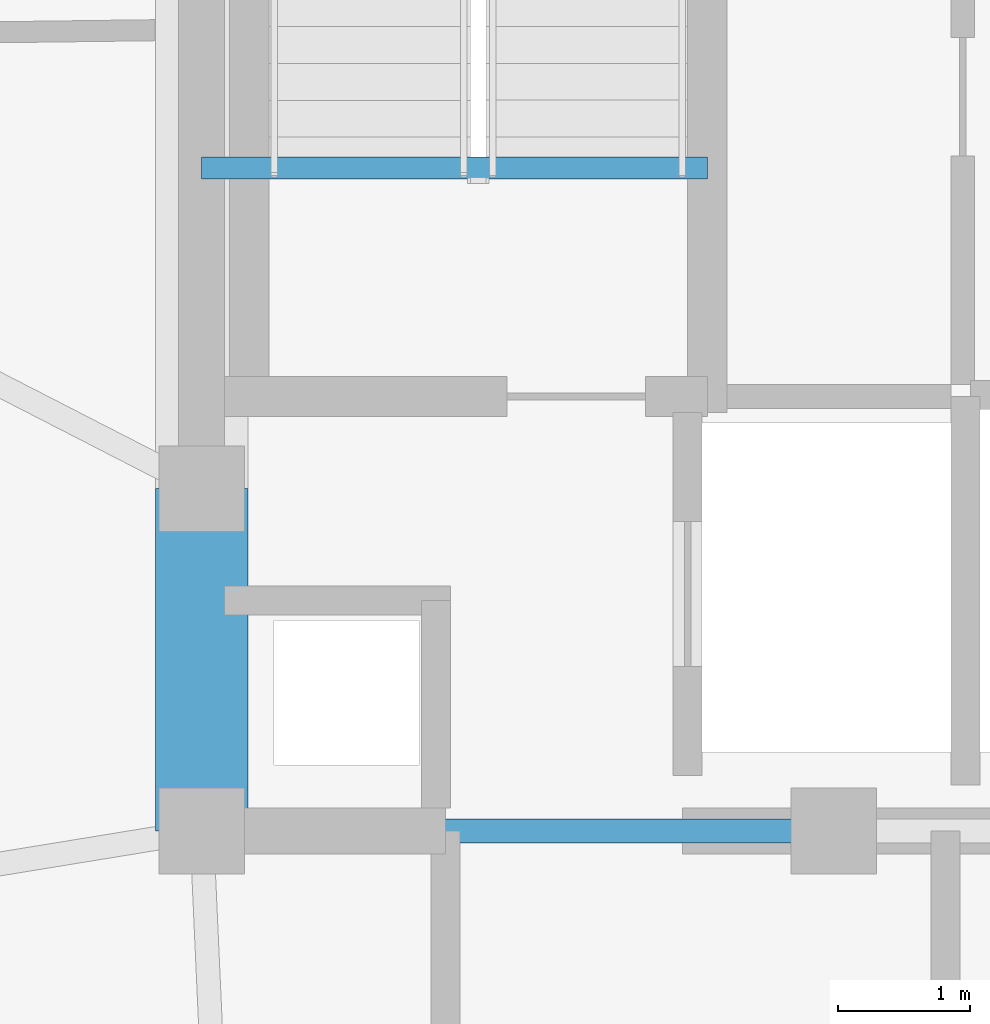
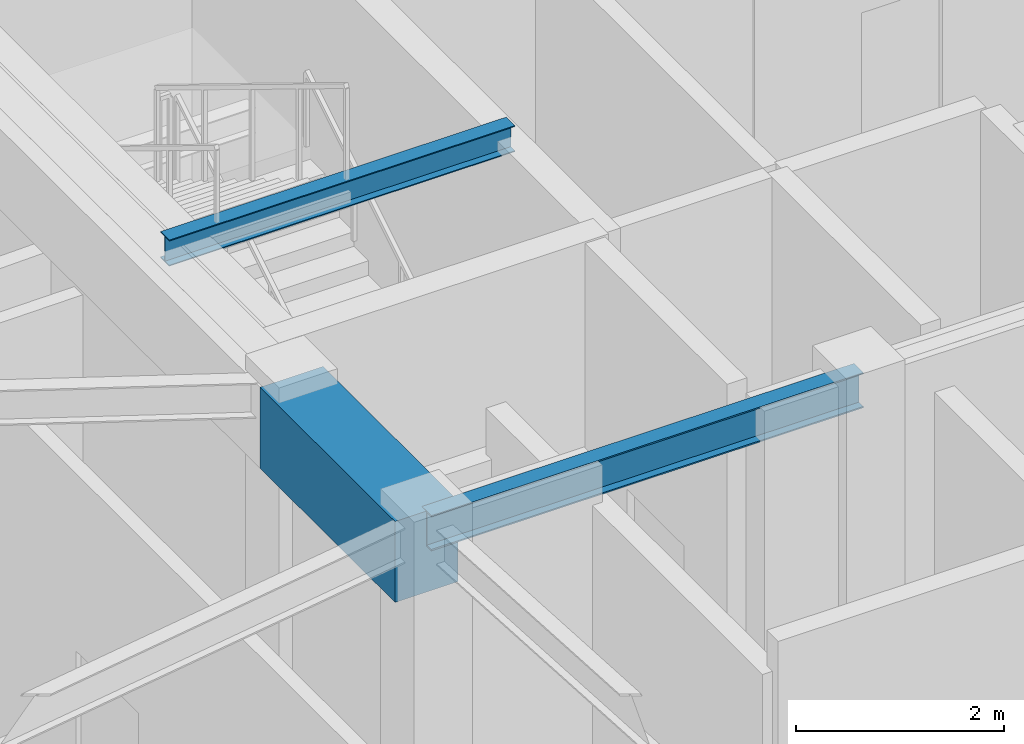
# One storey, part 4 of 22: 3 beams.
"""IFC4 building model written with IfcOpenShell, lengths in metres."""

from ifc_helpers import new_model, si_unit, direction, frame, origin, origin_2d, place, context, subcontext, project, spatial, rectangle, i_section, extrude, material, material_profile, profile_set, type_object, element, save


model = new_model("IFC4")

# Units and contexts
model_context = context("Model", 3, precision=1e-05, world=origin(), true_north=direction((0.0, 1.0)))
body_context = subcontext(model_context, "Body", "Model", "MODEL_VIEW")
ifc_project = project(units=[si_unit("LENGTHUNIT", "METRE"), si_unit("AREAUNIT", "SQUARE_METRE"), si_unit("VOLUMEUNIT", "CUBIC_METRE"), si_unit("PLANEANGLEUNIT", "RADIAN"), si_unit("MASSUNIT", "GRAM", prefix="KILO")], contexts=[model_context])

# Site, building, storey
site_placement = place(None, origin())
site = spatial("IfcSite", under=ifc_project, at=site_placement, CompositionType="ELEMENT")
building_placement = place(site_placement, origin())
building = spatial("IfcBuilding", under=site, at=building_placement, Name="Vantalir Tower", CompositionType="ELEMENT")
storey_placement = place(building_placement, frame((0.0, 0.0, 294.89990234375)))
storey = spatial("IfcBuildingStorey", under=building, at=storey_placement, Name="L74", CompositionType="ELEMENT", Elevation=294.89990234375)

# Beams
ifc_material_1 = material(Name="Concrete C60/75", Category="concrete")
ifc_material_profile_1 = material_profile(ifc_material_1, rectangle(XDim=0.699951171875, YDim=0.949951171875, at=origin_2d()), Name="Concrete C60/75")
ifc_profile_set_1 = profile_set([ifc_material_profile_1], Name="Concrete C60/75")
beam_type_1 = type_object("IfcBeamType", Name="BM-CB-700x950", PredefinedType="USERDEFINED", material=ifc_profile_set_1)
beam_1_placement = place(storey_placement, frame((21.89990234375, 20.39990234375, 4.14501953125), z_axis=(0.0, -1.0, 0.0), x_axis=(1.0, 0.0, 0.0)))
element("IfcBeam", 1, at=beam_1_placement, inside=storey, type_object=beam_type_1, Name="L74 Core Coupling Girder 14", ObjectType="GIRDER", PredefinedType="USERDEFINED", context=body_context, shape_type="SweptSolid", body=[
    extrude(rectangle(XDim=0.699951171875, YDim=0.949951171875, at=origin_2d()), origin(), (0.0, 0.0, 1.0), 2.599853515625),
])
ifc_material_2 = material(Name="Steel S355", Category="steel")
ifc_material_profile_2 = material_profile(ifc_material_2, i_section(OverallWidth=0.166015625, OverallDepth=0.306884765625, WebThickness=0.006591796875, FlangeThickness=0.01171875, at=origin_2d()), Name="Steel S355")
ifc_profile_set_2 = profile_set([ifc_material_profile_2], Name="Steel S355")
beam_type_2 = type_object("IfcBeamType", Name="BM-JS-305x165", PredefinedType="JOIST", material=ifc_profile_set_2)
beam_2_placement = place(storey_placement, frame((21.89990234375, 22.8349609375, 4.64599609375), z_axis=(1.0, 0.0, 0.0), x_axis=(0.0, 1.0, 0.0)))
element("IfcBeam", 2, at=beam_2_placement, inside=storey, type_object=beam_type_2, Name="L75 Stair ST1 Well Nosing Trimmer Beam", PredefinedType="JOIST", context=body_context, shape_type="SweptSolid", body=[
    extrude(i_section(OverallWidth=0.166015625, OverallDepth=0.306884765625, WebThickness=0.006591796875, FlangeThickness=0.01171875, at=origin_2d()), origin(), (0.0, 0.0, 1.0), 3.840087890625),
])
ifc_material_profile_3 = material_profile(ifc_material_2, i_section(OverallWidth=0.179931640625, OverallDepth=0.4130859375, WebThickness=0.009521484375, FlangeThickness=0.01611328125, at=origin_2d()), Name="Steel S355")
ifc_profile_set_3 = profile_set([ifc_material_profile_3], Name="Steel S355")
beam_type_3 = type_object("IfcBeamType", Name="BM-RB-406x178", PredefinedType="BEAM", material=ifc_profile_set_3)
beam_3_placement = place(storey_placement, frame((21.89990234375, 17.800048828125, 4.4140625), z_axis=(1.0, 0.0, 0.0), x_axis=(0.0, 1.0, 0.0)))
element("IfcBeam", 3, at=beam_3_placement, inside=storey, type_object=beam_type_3, Name="L74 Core Coupling Girder 01", PredefinedType="BEAM", context=body_context, shape_type="SweptSolid", body=[
    extrude(i_section(OverallWidth=0.179931640625, OverallDepth=0.4130859375, WebThickness=0.009521484375, FlangeThickness=0.01611328125, at=origin_2d()), origin(), (0.0, 0.0, 1.0), 4.800048828125),
])

save(model, "model.ifc")
